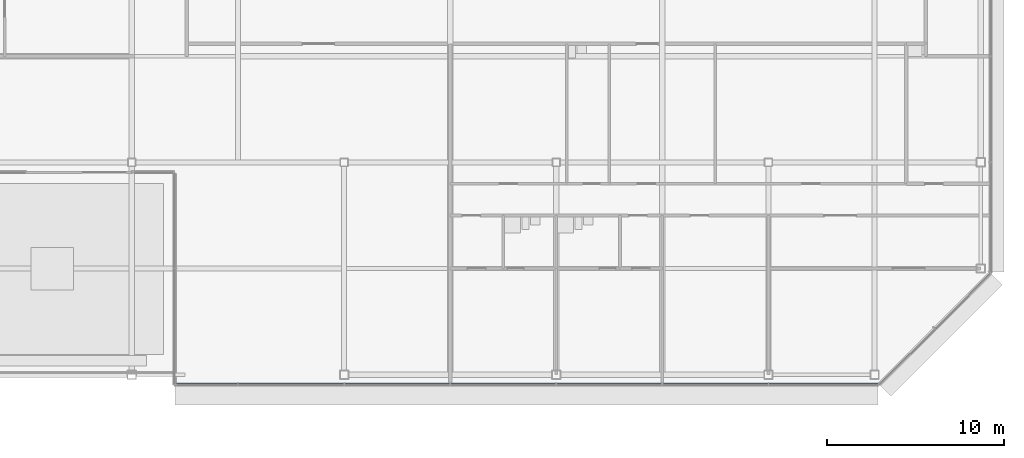
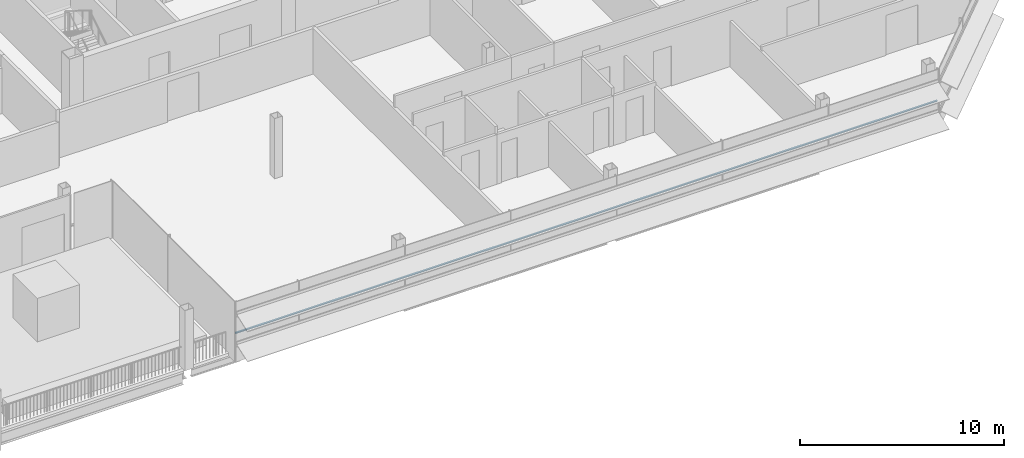
# One storey, part 11 of 31: 1 member, 1 element without a shape of its own.
"""IFC4 building model written with IfcOpenShell, lengths in metres."""

from ifc_helpers import new_model, si_unit, direction, frame, origin, origin_2d, place, context, subcontext, project, spatial, rectangle, extrude, material, material_profile, profile_set, type_object, element, aggregate, save


model = new_model("IFC4")

# Units and contexts
model_context = context("Model", 3, precision=1e-05, world=origin(), true_north=direction((0.0, 1.0)))
body_context = subcontext(model_context, "Body", "Model", "MODEL_VIEW")
ifc_project = project(units=[si_unit("LENGTHUNIT", "METRE"), si_unit("AREAUNIT", "SQUARE_METRE"), si_unit("VOLUMEUNIT", "CUBIC_METRE"), si_unit("PLANEANGLEUNIT", "RADIAN"), si_unit("MASSUNIT", "GRAM", prefix="KILO")], contexts=[model_context])

# Site, building, storey
site_placement = place(None, origin())
site = spatial("IfcSite", under=ifc_project, at=site_placement, CompositionType="ELEMENT")
building_placement = place(site_placement, origin())
building = spatial("IfcBuilding", under=site, at=building_placement, Name="Sorahane Residences", CompositionType="ELEMENT")
storey_placement = place(building_placement, frame((0.0, 0.0, 319.60009765625)))
storey = spatial("IfcBuildingStorey", under=building, at=storey_placement, Name="L76", CompositionType="ELEMENT", Elevation=319.60009765625)

# Curtain wall, member
ifc_material_1 = material(Name="Dark low-e glass and black anodised aluminium", Category="aluminium")
curtain_wall_type = type_object("IfcCurtainWallType", Name="Curtain wall CW-1 Typical unitised wall", PredefinedType="NOTDEFINED", material=ifc_material_1)
curtain_wall_placement = place(storey_placement, origin())
curtain_wall = element("IfcCurtainWall", 1, at=curtain_wall_placement, inside=storey, type_object=curtain_wall_type, Name="CW-1 curtain wall L76 S2", PredefinedType="NOTDEFINED")
ifc_material_2 = material(Name="Black anodised aluminium", Category="aluminium")
ifc_material_profile = material_profile(ifc_material_2, rectangle(XDim=0.10009765625, YDim=0.06005859375, at=origin_2d()), Name="Curtain wall transom CW-1 black anodised aluminium 60x100")
ifc_profile_set = profile_set([ifc_material_profile], Name="Black anodised aluminium")
member_type = type_object("IfcMemberType", Name="Curtain wall transom CW-1 black anodised aluminium 60x100", PredefinedType="USERDEFINED", material=ifc_profile_set)
member_placement = place(storey_placement, frame((2.449951171875, -0.530029296875, 1.5), z_axis=(1.0, 0.0, 0.0), x_axis=(0.0, 1.0, 0.0)))
member = element("IfcMember", 2, at=member_placement, type_object=member_type, Name="CW-1 transom L76 S2", ObjectType="TRANSOM", PredefinedType="USERDEFINED", context=body_context, shape_type="SweptSolid", body=[
    extrude(rectangle(XDim=0.10009765625, YDim=0.06005859375, at=origin_2d()), origin(), (0.0, 0.0, 1.0), 39.74853515625),
])
aggregate(curtain_wall, [member])

save(model, "model.ifc")
